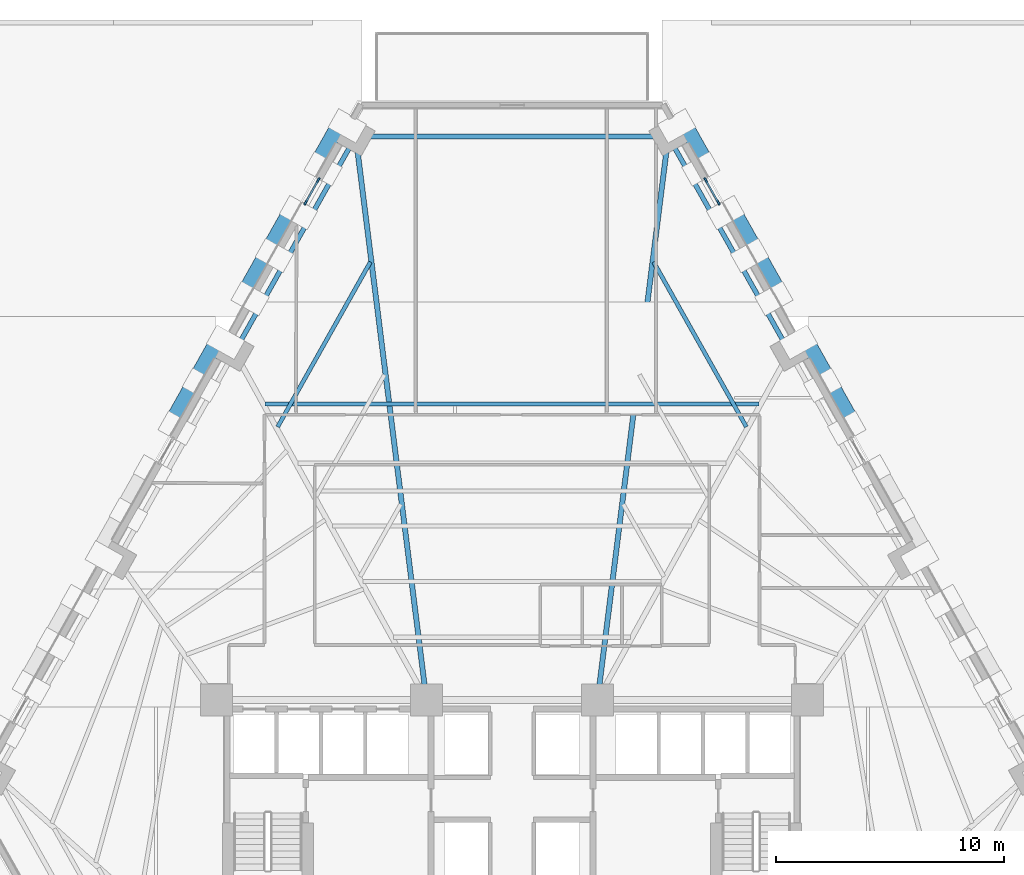
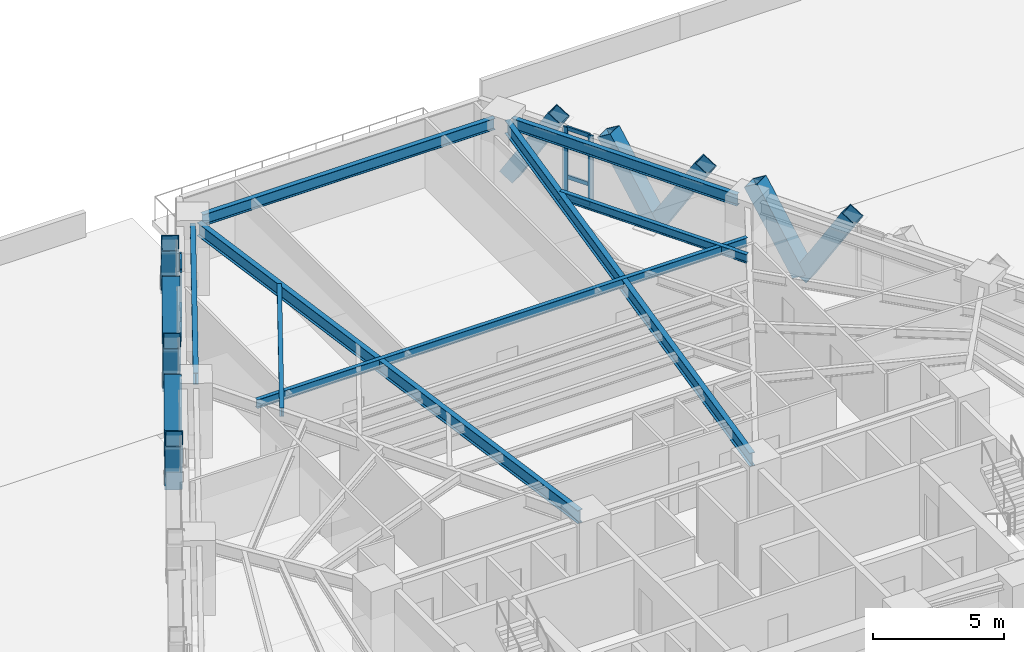
# One storey, part 4 of 14: 20 members, 8 beams, 2 elements without a shape of their own.
"""IFC4 building model written with IfcOpenShell, lengths in metres."""

from ifc_helpers import new_model, si_unit, direction, frame, origin, origin_2d, place, context, subcontext, project, spatial, rectangle, hollow_rectangle, i_section, extrude, material, material_profile, profile_set, type_object, element, aggregate, save


model = new_model("IFC4")

# Units and contexts
model_context = context("Model", 3, precision=1e-05, world=origin(), true_north=direction((0.0, 1.0)))
body_context = subcontext(model_context, "Body", "Model", "MODEL_VIEW")
ifc_project = project(units=[si_unit("LENGTHUNIT", "METRE"), si_unit("AREAUNIT", "SQUARE_METRE"), si_unit("VOLUMEUNIT", "CUBIC_METRE"), si_unit("PLANEANGLEUNIT", "RADIAN"), si_unit("MASSUNIT", "GRAM", prefix="KILO")], contexts=[model_context])

# Site, building, storey
site_placement = place(None, origin())
site = spatial("IfcSite", under=ifc_project, at=site_placement, CompositionType="ELEMENT")
building_placement = place(site_placement, origin())
building = spatial("IfcBuilding", under=site, at=building_placement, Name="Quenlor Broadcast Tower", CompositionType="ELEMENT")
storey_placement = place(building_placement, frame((0.0, 0.0, 27.60009765625)))
storey = spatial("IfcBuildingStorey", under=building, at=storey_placement, Name="L06", CompositionType="ELEMENT", Elevation=27.60009765625)

# Curtain wall, members
ifc_material_1 = material(Name="Architectural Terracotta and Low-E Glazing", Category="masonry")
curtain_wall_type = type_object("IfcCurtainWallType", Name="Unitised Terracotta Curtain Wall System Z1", PredefinedType="NOTDEFINED", material=ifc_material_1)
curtain_wall_1_placement = place(storey_placement, origin())
curtain_wall_1 = element("IfcCurtainWall", 1, at=curtain_wall_1_placement, inside=storey, type_object=curtain_wall_type, Name="L06 Curtain Wall CW1 (L06-NEA-G1)", PredefinedType="NOTDEFINED")
ifc_material_2 = material(Name="Aluminium 6063-T6", Category="aluminium")
ifc_material_profile_1 = material_profile(ifc_material_2, rectangle(XDim=0.080078125, YDim=0.219970703125, at=origin_2d()))
ifc_profile_set_1 = profile_set([ifc_material_profile_1], Name="Aluminium 6063-T6 MULL80x220")
member_type_1 = type_object("IfcMemberType", Name="CW1 Aluminium Mullion MULL_CW1", PredefinedType="MULLION", material=ifc_profile_set_1)
member_1_placement = place(storey_placement, frame((8.489990234375, 17.97998046875, 0.0), z_axis=(0.0, 0.0, 1.0), x_axis=(0.871566703483, 0.490276943553, 0.0)))
member_1 = element("IfcMember", 2, at=member_1_placement, type_object=member_type_1, Name="CW1 mullion 1", PredefinedType="MULLION", context=body_context, shape_type="SweptSolid", body=[
    extrude(rectangle(XDim=0.080078125, YDim=0.219970703125, at=origin_2d()), origin(), (0.0, 0.0, 1.0), 3.25),
])
member_2_placement = place(storey_placement, frame((9.043701171875, 16.995849609375, 0.0), z_axis=(0.0, 0.0, 1.0), x_axis=(0.871566703483, 0.490276943553, 0.0)))
member_2 = element("IfcMember", 3, at=member_2_placement, type_object=member_type_1, Name="CW1 mullion 2", PredefinedType="MULLION", context=body_context, shape_type="SweptSolid", body=[
    extrude(rectangle(XDim=0.080078125, YDim=0.219970703125, at=origin_2d()), origin(), (0.0, 0.0, 1.0), 3.25),
])

curtain_wall_2_placement = place(storey_placement, origin())
curtain_wall_2 = element("IfcCurtainWall", 4, at=curtain_wall_2_placement, inside=storey, type_object=curtain_wall_type, Name="L06 Curtain Wall CW1 (L06-NWC-G1)", PredefinedType="NOTDEFINED")
member_3_placement = place(storey_placement, frame((-9.043701171875, 16.995849609375, 0.0), z_axis=(0.0, 0.0, 1.0), x_axis=(-0.871566703483, 0.490276943553, 0.0)))
member_3 = element("IfcMember", 5, at=member_3_placement, type_object=member_type_1, Name="CW1 mullion 1", PredefinedType="MULLION", context=body_context, shape_type="SweptSolid", body=[
    extrude(rectangle(XDim=0.080078125, YDim=0.219970703125, at=origin_2d()), origin(), (0.0, 0.0, 1.0), 3.25),
])
member_4_placement = place(storey_placement, frame((-8.489990234375, 17.97998046875, 0.0), z_axis=(0.0, 0.0, 1.0), x_axis=(-0.871566703483, 0.490276943553, 0.0)))
member_4 = element("IfcMember", 6, at=member_4_placement, type_object=member_type_1, Name="CW1 mullion 2", PredefinedType="MULLION", context=body_context, shape_type="SweptSolid", body=[
    extrude(rectangle(XDim=0.080078125, YDim=0.219970703125, at=origin_2d()), origin(), (0.0, 0.0, 1.0), 3.25),
])

# Member
ifc_material_3 = material(Name="Aluminium 6063-T6", Category="aluminium")
ifc_material_profile_2 = material_profile(ifc_material_3, rectangle(XDim=0.080078125, YDim=0.179931640625, at=origin_2d()))
ifc_profile_set_2 = profile_set([ifc_material_profile_2], Name="Aluminium 6063-T6 TRAN80x180")
member_type_2 = type_object("IfcMemberType", Name="CW1 Aluminium Transom TRAN_CW1", PredefinedType="USERDEFINED", material=ifc_profile_set_2)
member_5_placement = place(storey_placement, frame((8.509765625, 17.945068359375, 0.039794921875), z_axis=(0.490239146026, -0.87158796441, 0.0), x_axis=(0.87158796441, 0.490239146026, 0.0)))
member_5 = element("IfcMember", 7, at=member_5_placement, type_object=member_type_2, Name="CW1 transom 1.1", ObjectType="TRANSOM", PredefinedType="USERDEFINED", context=body_context, shape_type="SweptSolid", body=[
    extrude(rectangle(XDim=0.080078125, YDim=0.179931640625, at=origin_2d()), origin(), (0.0, 0.0, 1.0), 1.04931640625),
])

member_6_placement = place(storey_placement, frame((8.509765625, 17.945068359375, 0.949951171875), z_axis=(0.490239146026, -0.87158796441, 0.0), x_axis=(0.87158796441, 0.490239146026, 0.0)))
member_6 = element("IfcMember", 8, at=member_6_placement, type_object=member_type_2, Name="CW1 transom 1.2", ObjectType="TRANSOM", PredefinedType="USERDEFINED", context=body_context, shape_type="SweptSolid", body=[
    extrude(rectangle(XDim=0.080078125, YDim=0.179931640625, at=origin_2d()), origin(), (0.0, 0.0, 1.0), 1.04931640625),
])

member_7_placement = place(storey_placement, frame((8.509765625, 17.945068359375, 3.2099609375), z_axis=(0.490239146026, -0.87158796441, 0.0), x_axis=(0.87158796441, 0.490239146026, 0.0)))
member_7 = element("IfcMember", 9, at=member_7_placement, type_object=member_type_2, Name="CW1 transom 1.3", ObjectType="TRANSOM", PredefinedType="USERDEFINED", context=body_context, shape_type="SweptSolid", body=[
    extrude(rectangle(XDim=0.080078125, YDim=0.179931640625, at=origin_2d()), origin(), (0.0, 0.0, 1.0), 1.04931640625),
])

aggregate(curtain_wall_1, [member_1, member_2, member_5, member_6, member_7])

member_8_placement = place(storey_placement, frame((-9.024169921875, 17.030517578125, 0.039794921875), z_axis=(0.490239146026, 0.87158796441, 0.0), x_axis=(-0.87158796441, 0.490239146026, 0.0)))
member_8 = element("IfcMember", 10, at=member_8_placement, type_object=member_type_2, Name="CW1 transom 1.1", ObjectType="TRANSOM", PredefinedType="USERDEFINED", context=body_context, shape_type="SweptSolid", body=[
    extrude(rectangle(XDim=0.080078125, YDim=0.179931640625, at=origin_2d()), origin(), (0.0, 0.0, 1.0), 1.04931640625),
])

member_9_placement = place(storey_placement, frame((-9.024169921875, 17.030517578125, 0.949951171875), z_axis=(0.490239146026, 0.87158796441, 0.0), x_axis=(-0.87158796441, 0.490239146026, 0.0)))
member_9 = element("IfcMember", 11, at=member_9_placement, type_object=member_type_2, Name="CW1 transom 1.2", ObjectType="TRANSOM", PredefinedType="USERDEFINED", context=body_context, shape_type="SweptSolid", body=[
    extrude(rectangle(XDim=0.080078125, YDim=0.179931640625, at=origin_2d()), origin(), (0.0, 0.0, 1.0), 1.04931640625),
])

member_10_placement = place(storey_placement, frame((-9.024169921875, 17.030517578125, 3.2099609375), z_axis=(0.490239146026, 0.87158796441, 0.0), x_axis=(-0.87158796441, 0.490239146026, 0.0)))
member_10 = element("IfcMember", 12, at=member_10_placement, type_object=member_type_2, Name="CW1 transom 1.3", ObjectType="TRANSOM", PredefinedType="USERDEFINED", context=body_context, shape_type="SweptSolid", body=[
    extrude(rectangle(XDim=0.080078125, YDim=0.179931640625, at=origin_2d()), origin(), (0.0, 0.0, 1.0), 1.04931640625),
])

aggregate(curtain_wall_2, [member_3, member_4, member_8, member_9, member_10])

# Members
ifc_material_4 = material(Name="Steel S355", Category="steel")
ifc_material_profile_3 = material_profile(ifc_material_4, hollow_rectangle(XDim=0.679931640625, YDim=0.679931640625, WallThickness=0.034912109375, at=origin_2d()))
ifc_profile_set_3 = profile_set([ifc_material_profile_3], Name="Steel S355 RHS680x680x35")
member_type_3 = type_object("IfcMemberType", Name="Perimeter Diagonal Lattice Brace Z1 Steel S355 RHS680x35", PredefinedType="BRACE", material=ifc_profile_set_3)
for number, where, z_axis, x_axis, name in (
    (13, (7.519287109375, 20.51171875, -0.1201171875), (0.256375341489, -0.45579159737, 0.852364771705), (0.871581609758, 0.490250443683, 0.0), "L06 Perimeter Diamond Lattice NE-C1S"),
    (14, (10.703125, 14.851318359375, -0.1201171875), (-0.256375341489, 0.45579159737, 0.852364771705), (-0.871581609758, -0.490250443683, 0.0), "L06 Perimeter Diamond Lattice NE-C1B"),
    (15, (10.716064453125, 14.82861328125, -0.1201171875), (0.256375341489, -0.45579159737, 0.852364771705), (0.871581609758, 0.490250443683, 0.0), "L06 Perimeter Diamond Lattice NE-C2S"),
    (16, (13.89990234375, 9.168212890625, -0.1201171875), (-0.256375341489, 0.45579159737, 0.852364771705), (-0.871581609758, -0.490250443683, 0.0), "L06 Perimeter Diamond Lattice NE-C2B"),
):
    element("IfcMember", number, at=place(storey_placement, frame(where, z_axis=z_axis, x_axis=x_axis)), inside=storey, type_object=member_type_3, Name=name, PredefinedType="BRACE", context=body_context, shape_type="SweptSolid", body=[
        extrude(hollow_rectangle(XDim=0.679931640625, YDim=0.679931640625, WallThickness=0.034912109375, at=origin_2d()), origin(), (0.0, 0.0, 1.0), 4.106201171875),
    ])
for number, where, z_axis, x_axis, name in (
    (17, (13.912841796875, 9.1455078125, -0.1201171875), (0.256368393635, -0.455838699906, 0.852341672343), (0.871608931644, 0.490201866865, 0.0), "L06 Perimeter Diamond Lattice NE-C3S"),
    (18, (-13.912841796875, 9.1455078125, -0.1201171875), (-0.256368393635, -0.455838699906, 0.852341672343), (0.871608931644, -0.490201866865, 0.0), "L06 Perimeter Diamond Lattice NW-C3B"),
):
    element("IfcMember", number, at=place(storey_placement, frame(where, z_axis=z_axis, x_axis=x_axis)), inside=storey, type_object=member_type_3, Name=name, PredefinedType="BRACE", context=body_context, shape_type="SweptSolid", body=[
        extrude(hollow_rectangle(XDim=0.679931640625, YDim=0.679931640625, WallThickness=0.034912109375, at=origin_2d()), origin(), (0.0, 0.0, 1.0), 4.1064453125),
    ])
for number, where, z_axis, x_axis, name in (
    (19, (-13.89990234375, 9.168212890625, -0.1201171875), (0.256375341489, 0.45579159737, 0.852364771705), (-0.871581609758, 0.490250443683, 0.0), "L06 Perimeter Diamond Lattice NW-C4S"),
    (20, (-10.716064453125, 14.82861328125, -0.1201171875), (-0.256375341489, -0.45579159737, 0.852364771705), (0.871581609758, -0.490250443683, 0.0), "L06 Perimeter Diamond Lattice NW-C4B"),
    (21, (-10.703125, 14.851318359375, -0.1201171875), (0.256375341489, 0.45579159737, 0.852364771705), (-0.871581609758, 0.490250443683, 0.0), "L06 Perimeter Diamond Lattice NW-C5S"),
    (22, (-7.519287109375, 20.51171875, -0.1201171875), (-0.256375341489, -0.45579159737, 0.852364771705), (0.871581609758, -0.490250443683, 0.0), "L06 Perimeter Diamond Lattice NW-C5B"),
):
    element("IfcMember", number, at=place(storey_placement, frame(where, z_axis=z_axis, x_axis=x_axis)), inside=storey, type_object=member_type_3, Name=name, PredefinedType="BRACE", context=body_context, shape_type="SweptSolid", body=[
        extrude(hollow_rectangle(XDim=0.679931640625, YDim=0.679931640625, WallThickness=0.034912109375, at=origin_2d()), origin(), (0.0, 0.0, 1.0), 4.106201171875),
    ])

# Beams
ifc_material_5 = material(Name="Steel S355", Category="steel")
ifc_material_profile_4 = material_profile(ifc_material_5, i_section(OverallWidth=0.208984375, OverallDepth=0.532958984375, WebThickness=0.01025390625, FlangeThickness=0.015625, FilletRadius=0.013916015625, at=origin_2d()))
ifc_profile_set_4 = profile_set([ifc_material_profile_4], Name="Steel S355 530UB92.4")
beam_type_1 = type_object("IfcBeamType", Name="Perimeter Spandrel Beam Z1 Steel S355 530UB92.4", PredefinedType="SPANDREL", material=ifc_profile_set_4)
beam_1_placement = place(storey_placement, frame((11.962158203125, 10.80810546875, 2.9833984375), z_axis=(-0.490257767622, 0.871577490121, 0.0), x_axis=(-0.871577490121, -0.490257767622, 0.0)))
element("IfcBeam", 23, at=beam_1_placement, inside=storey, type_object=beam_type_1, Name="L06 Spandrel Beam NE3-NE4", PredefinedType="SPANDREL", context=body_context, shape_type="SweptSolid", body=[
    extrude(i_section(OverallWidth=0.208984375, OverallDepth=0.532958984375, WebThickness=0.01025390625, FlangeThickness=0.015625, FilletRadius=0.013916015625, at=origin_2d()), origin(), (0.0, 0.0, 1.0), 10.015380859375),
])
beam_2_placement = place(storey_placement, frame((6.44091796875, 19.894775390625, 2.9833984375), z_axis=(-1.0, 0.0, 0.0), x_axis=(0.0, -1.0, 0.0)))
element("IfcBeam", 24, at=beam_2_placement, inside=storey, type_object=beam_type_1, Name="L06 Spandrel Beam NE4-NW1", PredefinedType="SPANDREL", context=body_context, shape_type="SweptSolid", body=[
    extrude(i_section(OverallWidth=0.208984375, OverallDepth=0.532958984375, WebThickness=0.01025390625, FlangeThickness=0.015625, FilletRadius=0.013916015625, at=origin_2d()), origin(), (0.0, 0.0, 1.0), 12.8818359375),
])
beam_3_placement = place(storey_placement, frame((-7.052001953125, 19.537353515625, 2.9833984375), z_axis=(-0.490257767622, -0.871577490121, 0.0), x_axis=(0.871577490121, -0.490257767622, 0.0)))
element("IfcBeam", 25, at=beam_3_placement, inside=storey, type_object=beam_type_1, Name="L06 Spandrel Beam NW1-NW2", PredefinedType="SPANDREL", context=body_context, shape_type="SweptSolid", body=[
    extrude(i_section(OverallWidth=0.208984375, OverallDepth=0.532958984375, WebThickness=0.01025390625, FlangeThickness=0.015625, FilletRadius=0.013916015625, at=origin_2d()), origin(), (0.0, 0.0, 1.0), 10.015380859375),
])
ifc_material_6 = material(Name="Steel S355", Category="steel")
ifc_material_profile_5 = material_profile(ifc_material_6, i_section(OverallWidth=0.177978515625, OverallDepth=0.406494140625, WebThickness=0.0078125, FlangeThickness=0.0126953125, FilletRadius=0.011474609375, at=origin_2d()))
ifc_profile_set_5 = profile_set([ifc_material_profile_5], Name="Steel S355 410UB59.7")
beam_type_2 = type_object("IfcBeamType", Name="Tower Composite Joist Z1 Steel S355 410UB59.7", PredefinedType="JOIST", material=ifc_profile_set_5)
beam_4_placement = place(storey_placement, frame((-10.821044921875, 8.163330078125, 3.046630859375), z_axis=(1.0, 0.0, 0.0), x_axis=(0.0, 1.0, 0.0)))
element("IfcBeam", 26, at=beam_4_placement, inside=storey, type_object=beam_type_2, Name="L06 Secondary Composite Joist 6", PredefinedType="JOIST", context=body_context, shape_type="SweptSolid", body=[
    extrude(i_section(OverallWidth=0.177978515625, OverallDepth=0.406494140625, WebThickness=0.0078125, FlangeThickness=0.0126953125, FilletRadius=0.011474609375, at=origin_2d()), origin(), (0.0, 0.0, 1.0), 21.64208984375),
])
for number, where, z_axis, x_axis, name in (
    (27, (-6.2080078125, 14.39208984375, 3.046630859375), (-0.490248658014, -0.871582614166, 0.0), (0.871582614166, -0.490248658014, 0.0), "L06 Secondary Composite Joist 27"),
    (28, (6.2080078125, 14.39208984375, 3.046630859375), (0.490248658014, -0.871582614166, 0.0), (0.871582614166, 0.490248658014, 0.0), "L06 Secondary Composite Joist 30"),
):
    element("IfcBeam", number, at=place(storey_placement, frame(where, z_axis=z_axis, x_axis=x_axis)), inside=storey, type_object=beam_type_2, Name=name, PredefinedType="JOIST", context=body_context, shape_type="SweptSolid", body=[
        extrude(i_section(OverallWidth=0.177978515625, OverallDepth=0.406494140625, WebThickness=0.0078125, FlangeThickness=0.0126953125, FilletRadius=0.011474609375, at=origin_2d()), origin(), (0.0, 0.0, 1.0), 8.29150390625),
    ])
ifc_material_7 = material(Name="Steel S355", Category="steel")
ifc_material_profile_6 = material_profile(ifc_material_7, i_section(OverallWidth=0.22900390625, OverallDepth=0.611572265625, WebThickness=0.011962890625, FlangeThickness=0.01953125, FilletRadius=0.013916015625, at=origin_2d()))
ifc_profile_set_6 = profile_set([ifc_material_profile_6], Name="Steel S355 610UB125")
beam_type_3 = type_object("IfcBeamType", Name="Tower Primary Floor Beam Z1 Steel S355 610UB125", PredefinedType="BEAM", material=ifc_profile_set_6)
for number, where, z_axis, x_axis, name in (
    (29, (6.7998046875, 19.48779296875, 2.944091796875), (-0.124589575762, -0.99220836401, 0.0), (0.99220836401, -0.124589575762, 0.0), "L06 Primary Radial Beam NE4"),
    (30, (-6.7998046875, 19.48779296875, 2.944091796875), (0.124589575762, -0.99220836401, 0.0), (0.99220836401, 0.124589575762, 0.0), "L06 Primary Radial Beam NW1"),
):
    element("IfcBeam", number, at=place(storey_placement, frame(where, z_axis=z_axis, x_axis=x_axis)), inside=storey, type_object=beam_type_3, Name=name, PredefinedType="BEAM", context=body_context, shape_type="SweptSolid", body=[
        extrude(i_section(OverallWidth=0.22900390625, OverallDepth=0.611572265625, WebThickness=0.011962890625, FlangeThickness=0.01953125, FilletRadius=0.013916015625, at=origin_2d()), origin(), (0.0, 0.0, 1.0), 24.0986328125),
    ])

save(model, "model.ifc")
